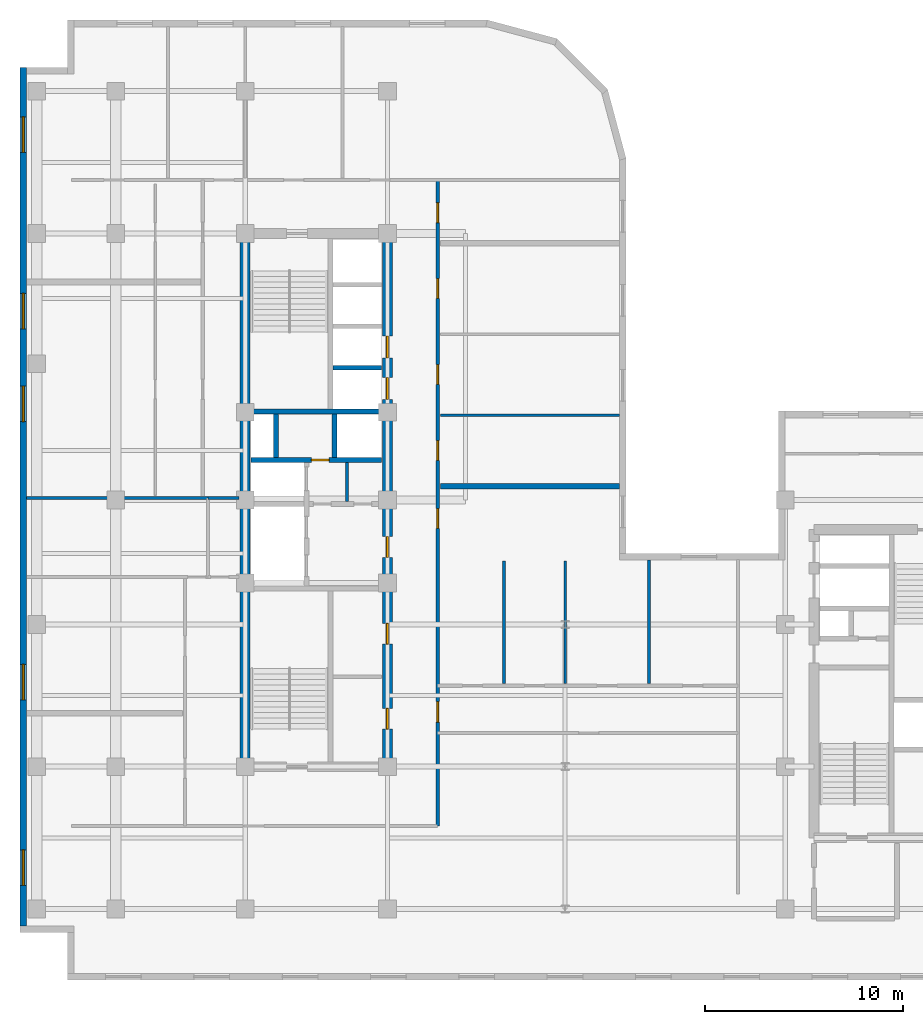
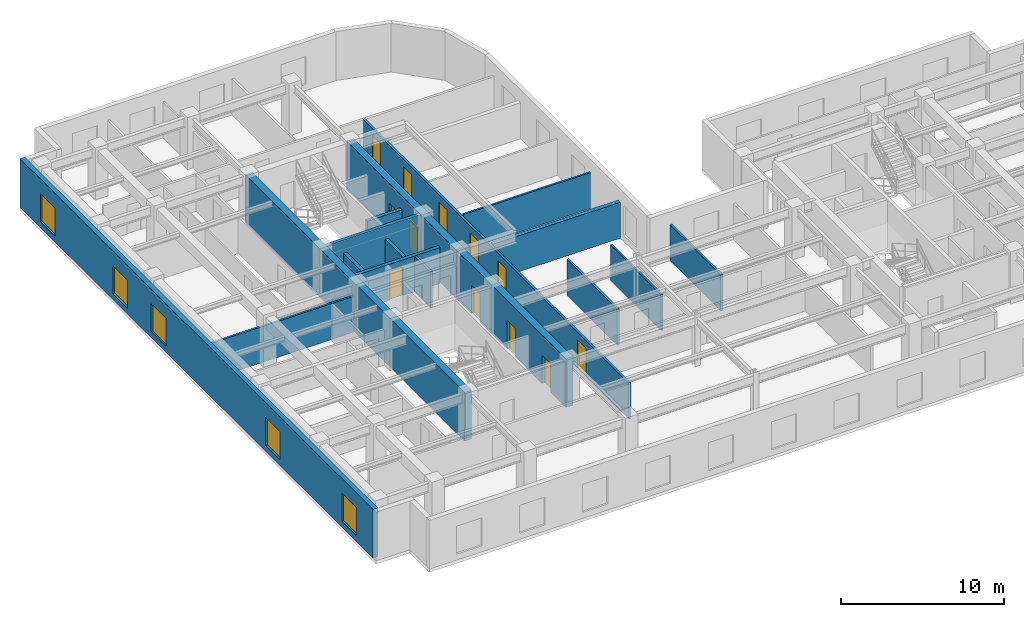
# One storey, part 5 of 11: 18 walls, 12 doors, 5 windows, 17 openings.
"""IFC4 building model written with IfcOpenShell, lengths in metres."""

from ifc_helpers import new_model, entity, si_unit, converted_unit, direction, frame, origin_with_axes, origin_2d_with_axis, place, context, subcontext, project, spatial, polyline, rectangle, outline, extrude, material, layer, layer_set, type_object, element, fill, save


model = new_model("IFC4")

# Units and contexts
model_context = context("Model", 3, precision=1e-05, world=origin_with_axes(), true_north=direction((0.0, 1.0)))
body_context = subcontext(model_context, "Body", "Model", "MODEL_VIEW")
ifc_project = project(units=[si_unit("LENGTHUNIT", "METRE"), si_unit("AREAUNIT", "SQUARE_METRE"), si_unit("VOLUMEUNIT", "CUBIC_METRE"), converted_unit("PLANEANGLEUNIT", "DEGREE", entity("IfcPlaneAngleMeasure", 0.017453292519943295), si_unit("PLANEANGLEUNIT", "RADIAN"), dimensions=[0, 0, 0, 0, 0, 0, 0]), si_unit("MASSUNIT", "GRAM", prefix="KILO"), si_unit("THERMODYNAMICTEMPERATUREUNIT", "KELVIN")], contexts=[model_context])

# Site, building, storey
site_placement = place(None, origin_with_axes())
site = spatial("IfcSite", under=ifc_project, at=site_placement, CompositionType="ELEMENT")
building_placement = place(site_placement, origin_with_axes())
building = spatial("IfcBuilding", under=site, at=building_placement, Name="Varnlund Millrace Tower", CompositionType="ELEMENT")
storey_placement = place(building_placement, frame((0.0, 0.0, 208.2), z_axis=(0.0, 0.0, 1.0), x_axis=(1.0, 0.0, 0.0)))
storey = spatial("IfcBuildingStorey", under=building, at=storey_placement, Name="L51", CompositionType="ELEMENT", Elevation=208.2)

# Wall
ifc_material_1 = material(Name="Concrete C70/85", Category="concrete")
ifc_layer_1 = layer(ifc_material_1, 0.5, Name="Concrete C70/85")
ifc_layer_set_1 = layer_set([ifc_layer_1], Name="Concrete C70/85")
wall_type_1 = type_object("IfcWallType", Name="Type-CoreWall-Shear-500-C70", PredefinedType="SHEAR", material=ifc_layer_set_1)
wall_1_placement = place(storey_placement, frame((11.4, 10.8, 0.0), z_axis=(0.0, 0.0, 1.0), x_axis=(0.0, 1.0, 0.0)))
element("IfcWall", 1, at=wall_1_placement, inside=storey, type_object=wall_type_1, Name="Type-CoreWall-Shear-500-C70", PredefinedType="SHEAR", context=body_context, shape_type="SweptSolid", body=[
    extrude(outline(polyline([(0.0, -0.25), (27.0, -0.25), (27.0, 0.25), (0.0, 0.25), (0.0, -0.25)])), origin_with_axes(), (0.0, 0.0, 1.0), 3.66),
])

# Wall, openings, doors
wall_2_placement = place(storey_placement, frame((18.6, 10.8, 0.0), z_axis=(0.0, 0.0, 1.0), x_axis=(0.0, 1.0, 0.0)))
wall_2 = element("IfcWall", 2, at=wall_2_placement, inside=storey, type_object=wall_type_1, Name="Type-CoreWall-Shear-500-C70", PredefinedType="SHEAR", context=body_context, shape_type="SweptSolid", body=[
    extrude(outline(polyline([(0.0, -0.25), (13.5, -0.25), (13.5, 0.25), (0.0, 0.25), (0.0, -0.25)])), origin_with_axes(), (0.0, 0.0, 1.0), 3.66),
])
opening_1_placement = place(wall_2_placement, frame((11.125, 0.0, 0.0), z_axis=(0.0, 0.0, 1.0), x_axis=(1.0, 0.0, 0.0)))
opening_1 = element("IfcOpeningElement", 3, at=opening_1_placement, cuts=wall_2, Name="Opening L51:DR-FFLOB-A", PredefinedType="OPENING", context=body_context, shape_type="SweptSolid", body=[
    extrude(rectangle(XDim=1.05, YDim=0.52, at=origin_2d_with_axis()), origin_with_axes(), (0.0, 0.0, 1.0), 2.15),
])
opening_2_placement = place(wall_2_placement, frame((2.425, 0.0, 0.0), z_axis=(0.0, 0.0, 1.0), x_axis=(1.0, 0.0, 0.0)))
opening_2 = element("IfcOpeningElement", 4, at=opening_2_placement, cuts=wall_2, Name="Opening L51:DR-RECL-A1-1", PredefinedType="OPENING", context=body_context, shape_type="SweptSolid", body=[
    extrude(rectangle(XDim=1.05, YDim=0.52, at=origin_2d_with_axis()), origin_with_axes(), (0.0, 0.0, 1.0), 2.15),
])
opening_3_placement = place(wall_2_placement, frame((6.725, 0.0, 0.0), z_axis=(0.0, 0.0, 1.0), x_axis=(1.0, 0.0, 0.0)))
opening_3 = element("IfcOpeningElement", 5, at=opening_3_placement, cuts=wall_2, Name="Opening L51:DR-RECL-A1-2", PredefinedType="OPENING", context=body_context, shape_type="SweptSolid", body=[
    extrude(rectangle(XDim=1.05, YDim=0.52, at=origin_2d_with_axis()), origin_with_axes(), (0.0, 0.0, 1.0), 2.15),
])
ifc_material_2 = material(Name="Smoke-barrier hollow steel fire door", Category="steel")
door_type_1 = type_object("IfcDoorType", Name="Type-FireDoor-Lobby-1050X2150", OperationType="NOTDEFINED", PredefinedType="DOOR", material=ifc_material_2)
door_1_placement = place(wall_2_placement, frame((11.125, 0.0, 0.0), z_axis=(0.0, 0.0, 1.0), x_axis=(1.0, 0.0, 0.0)))
door_1 = element("IfcDoor", 6, at=door_1_placement, inside=storey, type_object=door_type_1, Name="Type-FireDoor-Lobby-1050X2150", OperationType="SINGLE_SWING_LEFT", OverallHeight=2.15, OverallWidth=1.05, PredefinedType="DOOR", context=body_context, shape_type="SweptSolid", body=[
    extrude(rectangle(XDim=1.05, YDim=0.09, at=origin_2d_with_axis()), origin_with_axes(), (0.0, 0.0, 1.0), 2.15),
])
fill(opening_1, door_1)
door_2_placement = place(wall_2_placement, frame((2.425, 0.0, 0.0), z_axis=(0.0, 0.0, 1.0), x_axis=(1.0, 0.0, 0.0)))
door_2 = element("IfcDoor", 7, at=door_2_placement, inside=storey, type_object=door_type_1, Name="Type-FireDoor-Lobby-1050X2150", OperationType="SINGLE_SWING_LEFT", OverallHeight=2.15, OverallWidth=1.05, PredefinedType="DOOR", context=body_context, shape_type="SweptSolid", body=[
    extrude(rectangle(XDim=1.05, YDim=0.09, at=origin_2d_with_axis()), origin_with_axes(), (0.0, 0.0, 1.0), 2.15),
])
fill(opening_2, door_2)
door_3_placement = place(wall_2_placement, frame((6.725, 0.0, 0.0), z_axis=(0.0, 0.0, 1.0), x_axis=(1.0, 0.0, 0.0)))
door_3 = element("IfcDoor", 8, at=door_3_placement, inside=storey, type_object=door_type_1, Name="Type-FireDoor-Lobby-1050X2150", OperationType="SINGLE_SWING_RIGHT", OverallHeight=2.15, OverallWidth=1.05, PredefinedType="DOOR", context=body_context, shape_type="SweptSolid", body=[
    extrude(rectangle(XDim=1.05, YDim=0.09, at=origin_2d_with_axis()), origin_with_axes(), (0.0, 0.0, 1.0), 2.15),
])
fill(opening_3, door_3)

wall_3_placement = place(storey_placement, frame((18.6, 24.3, 0.0), z_axis=(0.0, 0.0, 1.0), x_axis=(0.0, 1.0, 0.0)))
wall_3 = element("IfcWall", 9, at=wall_3_placement, inside=storey, type_object=wall_type_1, Name="Type-CoreWall-Shear-500-C70", PredefinedType="SHEAR", context=body_context, shape_type="SweptSolid", body=[
    extrude(outline(polyline([(0.0, -0.25), (13.5, -0.25), (13.5, 0.25), (0.0, 0.25), (0.0, -0.25)])), origin_with_axes(), (0.0, 0.0, 1.0), 3.66),
])
opening_4_placement = place(wall_3_placement, frame((5.65, 0.0, 0.0), z_axis=(0.0, 0.0, 1.0), x_axis=(1.0, 0.0, 0.0)))
opening_4 = element("IfcOpeningElement", 10, at=opening_4_placement, cuts=wall_3, Name="Opening L51:LD-ELV-M1", PredefinedType="OPENING", context=body_context, shape_type="SweptSolid", body=[
    extrude(rectangle(XDim=1.1, YDim=0.52, at=origin_2d_with_axis()), origin_with_axes(), (0.0, 0.0, 1.0), 2.15),
])
opening_5_placement = place(wall_3_placement, frame((7.75, 0.0, 0.0), z_axis=(0.0, 0.0, 1.0), x_axis=(1.0, 0.0, 0.0)))
opening_5 = element("IfcOpeningElement", 11, at=opening_5_placement, cuts=wall_3, Name="Opening L51:LD-ELV-M2", PredefinedType="OPENING", context=body_context, shape_type="SweptSolid", body=[
    extrude(rectangle(XDim=1.1, YDim=0.52, at=origin_2d_with_axis()), origin_with_axes(), (0.0, 0.0, 1.0), 2.15),
])
ifc_material_3 = material(Name="Stainless and architectural bronze sliding landing door")
door_type_2 = type_object("IfcDoorType", Name="Type-LiftLandingDoor-1100X2150", OperationType="NOTDEFINED", PredefinedType="DOOR", material=ifc_material_3)
door_4_placement = place(wall_3_placement, frame((5.65, 0.0, 0.0), z_axis=(0.0, 0.0, 1.0), x_axis=(1.0, 0.0, 0.0)))
door_4 = element("IfcDoor", 12, at=door_4_placement, inside=storey, type_object=door_type_2, Name="Type-LiftLandingDoor-1100X2150", OperationType="SLIDING_TO_LEFT", OverallHeight=2.15, OverallWidth=1.1, PredefinedType="DOOR", context=body_context, shape_type="SweptSolid", body=[
    extrude(rectangle(XDim=1.1, YDim=0.09, at=origin_2d_with_axis()), origin_with_axes(), (0.0, 0.0, 1.0), 2.15),
])
fill(opening_4, door_4)
door_5_placement = place(wall_3_placement, frame((7.75, 0.0, 0.0), z_axis=(0.0, 0.0, 1.0), x_axis=(1.0, 0.0, 0.0)))
door_5 = element("IfcDoor", 13, at=door_5_placement, inside=storey, type_object=door_type_2, Name="Type-LiftLandingDoor-1100X2150", OperationType="SLIDING_TO_RIGHT", OverallHeight=2.15, OverallWidth=1.1, PredefinedType="DOOR", context=body_context, shape_type="SweptSolid", body=[
    extrude(rectangle(XDim=1.1, YDim=0.09, at=origin_2d_with_axis()), origin_with_axes(), (0.0, 0.0, 1.0), 2.15),
])
fill(opening_5, door_5)

# Wall, openings, windows
ifc_material_4 = material(Name="Precast concrete C50/60", Category="concrete")
ifc_layer_2 = layer(ifc_material_4, 0.34, Name="Precast concrete C50/60")
ifc_layer_set_2 = layer_set([ifc_layer_2], Name="Precast concrete C50/60")
wall_type_2 = type_object("IfcWallType", Name="Type-ExtWall-Precast-Upper-340", PredefinedType="SOLIDWALL", material=ifc_layer_set_2)
wall_4_placement = place(storey_placement, frame((0.17, 2.74, 0.0), z_axis=(0.0, 0.0, 1.0), x_axis=(0.0, 1.0, 0.0)))
wall_4 = element("IfcWall", 14, at=wall_4_placement, inside=storey, type_object=wall_type_2, Name="Type-ExtWall-Precast-Upper-340", PredefinedType="SOLIDWALL", context=body_context, shape_type="SweptSolid", body=[
    extrude(outline(polyline([(0.0, -0.17), (43.46, -0.17), (43.46, 0.17), (0.0, 0.17), (0.0, -0.17)])), origin_with_axes(), (0.0, 0.0, 1.0), 3.66),
])
opening_6_placement = place(wall_4_placement, frame((2.948, 0.0, 0.45), z_axis=(0.0, 0.0, 1.0), x_axis=(1.0, 0.0, 0.0)))
opening_6 = element("IfcOpeningElement", 15, at=opening_6_placement, cuts=wall_4, Name="Opening L51:WN-20", PredefinedType="OPENING", context=body_context, shape_type="SweptSolid", body=[
    extrude(rectangle(XDim=1.8, YDim=0.36, at=origin_2d_with_axis()), origin_with_axes(), (0.0, 0.0, 1.0), 2.1),
])
opening_7_placement = place(wall_4_placement, frame((12.339, 0.0, 0.45), z_axis=(0.0, 0.0, 1.0), x_axis=(1.0, 0.0, 0.0)))
opening_7 = element("IfcOpeningElement", 16, at=opening_7_placement, cuts=wall_4, Name="Opening L51:WN-21", PredefinedType="OPENING", context=body_context, shape_type="SweptSolid", body=[
    extrude(rectangle(XDim=1.8, YDim=0.36, at=origin_2d_with_axis()), origin_with_axes(), (0.0, 0.0, 1.0), 2.1),
])
opening_8_placement = place(wall_4_placement, frame((26.426, 0.0, 0.45), z_axis=(0.0, 0.0, 1.0), x_axis=(1.0, 0.0, 0.0)))
opening_8 = element("IfcOpeningElement", 17, at=opening_8_placement, cuts=wall_4, Name="Opening L51:WN-22", PredefinedType="OPENING", context=body_context, shape_type="SweptSolid", body=[
    extrude(rectangle(XDim=1.8, YDim=0.36, at=origin_2d_with_axis()), origin_with_axes(), (0.0, 0.0, 1.0), 2.1),
])
opening_9_placement = place(wall_4_placement, frame((31.121, 0.0, 0.45), z_axis=(0.0, 0.0, 1.0), x_axis=(1.0, 0.0, 0.0)))
opening_9 = element("IfcOpeningElement", 18, at=opening_9_placement, cuts=wall_4, Name="Opening L51:WN-23", PredefinedType="OPENING", context=body_context, shape_type="SweptSolid", body=[
    extrude(rectangle(XDim=1.8, YDim=0.36, at=origin_2d_with_axis()), origin_with_axes(), (0.0, 0.0, 1.0), 2.1),
])
opening_10_placement = place(wall_4_placement, frame((40.062, 0.0, 0.45), z_axis=(0.0, 0.0, 1.0), x_axis=(1.0, 0.0, 0.0)))
opening_10 = element("IfcOpeningElement", 19, at=opening_10_placement, cuts=wall_4, Name="Opening L51:WN-24", PredefinedType="OPENING", context=body_context, shape_type="SweptSolid", body=[
    extrude(rectangle(XDim=1.8, YDim=0.36, at=origin_2d_with_axis()), origin_with_axes(), (0.0, 0.0, 1.0), 2.1),
])
ifc_material_5 = material(Name="Argon low-e triple glazing in thermally broken bronze frame", Category="glass")
window_type = type_object("IfcWindowType", Name="Type-Window-Punched-1800X2100", PartitioningType="SINGLE_PANEL", PredefinedType="WINDOW", material=ifc_material_5)
window_1_placement = place(wall_4_placement, frame((2.948, 0.0, 0.45), z_axis=(0.0, 0.0, 1.0), x_axis=(1.0, 0.0, 0.0)))
window_1 = element("IfcWindow", 20, at=window_1_placement, inside=storey, type_object=window_type, Name="Type-Window-Punched-1800X2100", OverallHeight=2.1, OverallWidth=1.8, PredefinedType="WINDOW", context=body_context, shape_type="SweptSolid", body=[
    extrude(rectangle(XDim=1.8, YDim=0.09, at=origin_2d_with_axis()), origin_with_axes(), (0.0, 0.0, 1.0), 2.1),
])
fill(opening_6, window_1)
window_2_placement = place(wall_4_placement, frame((12.339, 0.0, 0.45), z_axis=(0.0, 0.0, 1.0), x_axis=(1.0, 0.0, 0.0)))
window_2 = element("IfcWindow", 21, at=window_2_placement, inside=storey, type_object=window_type, Name="Type-Window-Punched-1800X2100", OverallHeight=2.1, OverallWidth=1.8, PredefinedType="WINDOW", context=body_context, shape_type="SweptSolid", body=[
    extrude(rectangle(XDim=1.8, YDim=0.09, at=origin_2d_with_axis()), origin_with_axes(), (0.0, 0.0, 1.0), 2.1),
])
fill(opening_7, window_2)
window_3_placement = place(wall_4_placement, frame((26.426, 0.0, 0.45), z_axis=(0.0, 0.0, 1.0), x_axis=(1.0, 0.0, 0.0)))
window_3 = element("IfcWindow", 22, at=window_3_placement, inside=storey, type_object=window_type, Name="Type-Window-Punched-1800X2100", OverallHeight=2.1, OverallWidth=1.8, PredefinedType="WINDOW", context=body_context, shape_type="SweptSolid", body=[
    extrude(rectangle(XDim=1.8, YDim=0.09, at=origin_2d_with_axis()), origin_with_axes(), (0.0, 0.0, 1.0), 2.1),
])
fill(opening_8, window_3)
window_4_placement = place(wall_4_placement, frame((31.121, 0.0, 0.45), z_axis=(0.0, 0.0, 1.0), x_axis=(1.0, 0.0, 0.0)))
window_4 = element("IfcWindow", 23, at=window_4_placement, inside=storey, type_object=window_type, Name="Type-Window-Punched-1800X2100", OverallHeight=2.1, OverallWidth=1.8, PredefinedType="WINDOW", context=body_context, shape_type="SweptSolid", body=[
    extrude(rectangle(XDim=1.8, YDim=0.09, at=origin_2d_with_axis()), origin_with_axes(), (0.0, 0.0, 1.0), 2.1),
])
fill(opening_9, window_4)
window_5_placement = place(wall_4_placement, frame((40.062, 0.0, 0.45), z_axis=(0.0, 0.0, 1.0), x_axis=(1.0, 0.0, 0.0)))
window_5 = element("IfcWindow", 24, at=window_5_placement, inside=storey, type_object=window_type, Name="Type-Window-Punched-1800X2100", OverallHeight=2.1, OverallWidth=1.8, PredefinedType="WINDOW", context=body_context, shape_type="SweptSolid", body=[
    extrude(rectangle(XDim=1.8, YDim=0.09, at=origin_2d_with_axis()), origin_with_axes(), (0.0, 0.0, 1.0), 2.1),
])
fill(opening_10, window_5)

# Walls
ifc_material_6 = material(Name="Double-stud STC-60 conference acoustic partition", Category="gypsum")
ifc_layer_3 = layer(ifc_material_6, 0.28, Name="Double-stud STC-60 conference acoustic partition")
ifc_layer_set_3 = layer_set([ifc_layer_3], Name="Double-stud STC-60 conference acoustic partition")
wall_type_3 = type_object("IfcWallType", Name="Type-Partition-Acoustic-280", PredefinedType="PARTITIONING", material=ifc_layer_set_3)
wall_5_placement = place(storey_placement, frame((21.3, 25.003, 0.0), z_axis=(0.0, 0.0, 1.0), x_axis=(1.0, 0.0, 0.0)))
element("IfcWall", 25, at=wall_5_placement, inside=storey, type_object=wall_type_3, Name="Type-Partition-Acoustic-280", PredefinedType="PARTITIONING", context=body_context, shape_type="SweptSolid", body=[
    extrude(outline(polyline([(0.0, -0.14), (9.051, -0.14), (9.051, 0.14), (0.0, 0.14), (0.0, -0.14)])), origin_with_axes(), (0.0, 0.0, 1.0), 2.7),
])
ifc_material_7 = material(Name="Fire-rated gypsum board on cold-formed steel framing", Category="steel")
ifc_layer_4 = layer(ifc_material_7, 0.16, Name="Fire-rated gypsum board on cold-formed steel framing")
ifc_layer_set_4 = layer_set([ifc_layer_4], Name="Fire-rated gypsum board on cold-formed steel framing")
wall_type_4 = type_object("IfcWallType", Name="Type-Partition-Corridor-160", PredefinedType="PARTITIONING", material=ifc_layer_set_4)
wall_6_placement = place(storey_placement, frame((16.55, 24.22, 0.0), z_axis=(0.0, 0.0, 1.0), x_axis=(0.0, 1.0, 0.0)))
element("IfcWall", 26, at=wall_6_placement, inside=storey, type_object=wall_type_4, Name="Type-Partition-Corridor-160", PredefinedType="PARTITIONING", context=body_context, shape_type="SweptSolid", body=[
    extrude(outline(polyline([(0.0, -0.08), (1.98, -0.08), (1.98, 0.08), (0.0, 0.08), (0.0, -0.08)])), origin_with_axes(), (0.0, 0.0, 1.0), 2.7),
])

# Wall, openings, doors
wall_7_placement = place(storey_placement, frame((21.15, 7.8, 0.0), z_axis=(0.0, 0.0, 1.0), x_axis=(0.0, 1.0, 0.0)))
wall_7 = element("IfcWall", 27, at=wall_7_placement, inside=storey, type_object=wall_type_4, Name="Type-Partition-Corridor-160", PredefinedType="PARTITIONING", context=body_context, shape_type="SweptSolid", body=[
    extrude(outline(polyline([(0.0, -0.08), (32.7, -0.08), (32.7, 0.08), (0.0, 0.08), (0.0, -0.08)])), origin_with_axes(), (0.0, 0.0, 1.0), 2.7),
])
opening_11_placement = place(wall_7_placement, frame((15.5665, 0.0, 0.0), z_axis=(0.0, 0.0, 1.0), x_axis=(1.0, 0.0, 0.0)))
opening_11 = element("IfcOpeningElement", 28, at=opening_11_placement, cuts=wall_7, Name="Opening L51:DR-FLR-01", PredefinedType="OPENING", context=body_context, shape_type="SweptSolid", body=[
    extrude(rectangle(XDim=1.0, YDim=0.18, at=origin_2d_with_axis()), origin_with_axes(), (0.0, 0.0, 1.0), 2.15),
])
opening_12_placement = place(wall_7_placement, frame((19.003, 0.0, 0.0), z_axis=(0.0, 0.0, 1.0), x_axis=(1.0, 0.0, 0.0)))
opening_12 = element("IfcOpeningElement", 29, at=opening_12_placement, cuts=wall_7, Name="Opening L51:DR-FLR-02", PredefinedType="OPENING", context=body_context, shape_type="SweptSolid", body=[
    extrude(rectangle(XDim=1.0, YDim=0.18, at=origin_2d_with_axis()), origin_with_axes(), (0.0, 0.0, 1.0), 2.15),
])
opening_13_placement = place(wall_7_placement, frame((22.854, 0.0, 0.0), z_axis=(0.0, 0.0, 1.0), x_axis=(1.0, 0.0, 0.0)))
opening_13 = element("IfcOpeningElement", 30, at=opening_13_placement, cuts=wall_7, Name="Opening L51:DR-FLR-03", PredefinedType="OPENING", context=body_context, shape_type="SweptSolid", body=[
    extrude(rectangle(XDim=1.0, YDim=0.18, at=origin_2d_with_axis()), origin_with_axes(), (0.0, 0.0, 1.0), 2.15),
])
opening_14_placement = place(wall_7_placement, frame((27.208, 0.0, 0.0), z_axis=(0.0, 0.0, 1.0), x_axis=(1.0, 0.0, 0.0)))
opening_14 = element("IfcOpeningElement", 31, at=opening_14_placement, cuts=wall_7, Name="Opening L51:DR-FLR-04", PredefinedType="OPENING", context=body_context, shape_type="SweptSolid", body=[
    extrude(rectangle(XDim=1.0, YDim=0.18, at=origin_2d_with_axis()), origin_with_axes(), (0.0, 0.0, 1.0), 2.15),
])
opening_15_placement = place(wall_7_placement, frame((31.0405, 0.0, 0.0), z_axis=(0.0, 0.0, 1.0), x_axis=(1.0, 0.0, 0.0)))
opening_15 = element("IfcOpeningElement", 32, at=opening_15_placement, cuts=wall_7, Name="Opening L51:DR-FLR-05", PredefinedType="OPENING", context=body_context, shape_type="SweptSolid", body=[
    extrude(rectangle(XDim=1.0, YDim=0.18, at=origin_2d_with_axis()), origin_with_axes(), (0.0, 0.0, 1.0), 2.15),
])
opening_16_placement = place(wall_7_placement, frame((5.775, 0.0, 0.0), z_axis=(0.0, 0.0, 1.0), x_axis=(1.0, 0.0, 0.0)))
opening_16 = element("IfcOpeningElement", 33, at=opening_16_placement, cuts=wall_7, Name="Opening L51:DR-KN-W", PredefinedType="OPENING", context=body_context, shape_type="SweptSolid", body=[
    extrude(rectangle(XDim=1.05, YDim=0.18, at=origin_2d_with_axis()), origin_with_axes(), (0.0, 0.0, 1.0), 2.15),
])
door_6_placement = place(wall_7_placement, frame((5.775, 0.0, 0.0), z_axis=(0.0, 0.0, 1.0), x_axis=(1.0, 0.0, 0.0)))
door_6 = element("IfcDoor", 34, at=door_6_placement, inside=storey, type_object=door_type_1, Name="Type-FireDoor-Lobby-1050X2150", OperationType="SINGLE_SWING_LEFT", OverallHeight=2.15, OverallWidth=1.05, PredefinedType="DOOR", context=body_context, shape_type="SweptSolid", body=[
    extrude(rectangle(XDim=1.05, YDim=0.09, at=origin_2d_with_axis()), origin_with_axes(), (0.0, 0.0, 1.0), 2.15),
])
fill(opening_16, door_6)
ifc_material_8 = material(Name="Solid-core white oak and bronze frame door")
door_type_3 = type_object("IfcDoorType", Name="Type-IntDoor-Office-1000X2150", OperationType="NOTDEFINED", PredefinedType="DOOR", material=ifc_material_8)
door_7_placement = place(wall_7_placement, frame((15.5665, 0.0, 0.0), z_axis=(0.0, 0.0, 1.0), x_axis=(1.0, 0.0, 0.0)))
door_7 = element("IfcDoor", 35, at=door_7_placement, inside=storey, type_object=door_type_3, Name="Type-IntDoor-Office-1000X2150", OperationType="SINGLE_SWING_LEFT", OverallHeight=2.15, OverallWidth=1.0, PredefinedType="DOOR", context=body_context, shape_type="SweptSolid", body=[
    extrude(rectangle(XDim=1.0, YDim=0.09, at=origin_2d_with_axis()), origin_with_axes(), (0.0, 0.0, 1.0), 2.15),
])
fill(opening_11, door_7)
door_8_placement = place(wall_7_placement, frame((19.003, 0.0, 0.0), z_axis=(0.0, 0.0, 1.0), x_axis=(1.0, 0.0, 0.0)))
door_8 = element("IfcDoor", 36, at=door_8_placement, inside=storey, type_object=door_type_3, Name="Type-IntDoor-Office-1000X2150", OperationType="SINGLE_SWING_RIGHT", OverallHeight=2.15, OverallWidth=1.0, PredefinedType="DOOR", context=body_context, shape_type="SweptSolid", body=[
    extrude(rectangle(XDim=1.0, YDim=0.09, at=origin_2d_with_axis()), origin_with_axes(), (0.0, 0.0, 1.0), 2.15),
])
fill(opening_12, door_8)
door_9_placement = place(wall_7_placement, frame((22.854, 0.0, 0.0), z_axis=(0.0, 0.0, 1.0), x_axis=(1.0, 0.0, 0.0)))
door_9 = element("IfcDoor", 37, at=door_9_placement, inside=storey, type_object=door_type_3, Name="Type-IntDoor-Office-1000X2150", OperationType="SINGLE_SWING_LEFT", OverallHeight=2.15, OverallWidth=1.0, PredefinedType="DOOR", context=body_context, shape_type="SweptSolid", body=[
    extrude(rectangle(XDim=1.0, YDim=0.09, at=origin_2d_with_axis()), origin_with_axes(), (0.0, 0.0, 1.0), 2.15),
])
fill(opening_13, door_9)
door_10_placement = place(wall_7_placement, frame((27.208, 0.0, 0.0), z_axis=(0.0, 0.0, 1.0), x_axis=(1.0, 0.0, 0.0)))
door_10 = element("IfcDoor", 38, at=door_10_placement, inside=storey, type_object=door_type_3, Name="Type-IntDoor-Office-1000X2150", OperationType="SINGLE_SWING_RIGHT", OverallHeight=2.15, OverallWidth=1.0, PredefinedType="DOOR", context=body_context, shape_type="SweptSolid", body=[
    extrude(rectangle(XDim=1.0, YDim=0.09, at=origin_2d_with_axis()), origin_with_axes(), (0.0, 0.0, 1.0), 2.15),
])
fill(opening_14, door_10)
door_11_placement = place(wall_7_placement, frame((31.0405, 0.0, 0.0), z_axis=(0.0, 0.0, 1.0), x_axis=(1.0, 0.0, 0.0)))
door_11 = element("IfcDoor", 39, at=door_11_placement, inside=storey, type_object=door_type_3, Name="Type-IntDoor-Office-1000X2150", OperationType="SINGLE_SWING_LEFT", OverallHeight=2.15, OverallWidth=1.0, PredefinedType="DOOR", context=body_context, shape_type="SweptSolid", body=[
    extrude(rectangle(XDim=1.0, YDim=0.09, at=origin_2d_with_axis()), origin_with_axes(), (0.0, 0.0, 1.0), 2.15),
])
fill(opening_15, door_11)

# Walls
ifc_material_9 = material(Name="Acoustic STC-50 gypsum board partition", Category="gypsum")
ifc_layer_5 = layer(ifc_material_9, 0.15, Name="Acoustic STC-50 gypsum board partition")
ifc_layer_set_5 = layer_set([ifc_layer_5], Name="Acoustic STC-50 gypsum board partition")
wall_type_5 = type_object("IfcWallType", Name="Type-Partition-Demising-150", PredefinedType="PARTITIONING", material=ifc_layer_set_5)
wall_8_placement = place(storey_placement, frame((24.499, 15.02, 0.0), z_axis=(0.0, 0.0, 1.0), x_axis=(0.0, 1.0, 0.0)))
element("IfcWall", 40, at=wall_8_placement, inside=storey, type_object=wall_type_5, Name="Type-Partition-Demising-150", PredefinedType="PARTITIONING", context=body_context, shape_type="SweptSolid", body=[
    extrude(outline(polyline([(0.0, -0.075), (6.2, -0.075), (6.2, 0.075), (0.0, 0.075), (0.0, -0.075)])), origin_with_axes(), (0.0, 0.0, 1.0), 2.7),
])
wall_9_placement = place(storey_placement, frame((31.852, 15.02, 0.0), z_axis=(0.0, 0.0, 1.0), x_axis=(0.0, 1.0, 0.0)))
element("IfcWall", 41, at=wall_9_placement, inside=storey, type_object=wall_type_5, Name="Type-Partition-Demising-150", PredefinedType="PARTITIONING", context=body_context, shape_type="SweptSolid", body=[
    extrude(outline(polyline([(0.0, -0.075), (6.245, -0.075), (6.245, 0.075), (0.0, 0.075), (0.0, -0.075)])), origin_with_axes(), (0.0, 0.0, 1.0), 2.7),
])
ifc_material_10 = material(Name="Gypsum board tenant partition", Category="gypsum")
ifc_layer_6 = layer(ifc_material_10, 0.125, Name="Gypsum board tenant partition")
ifc_layer_set_6 = layer_set([ifc_layer_6], Name="Gypsum board tenant partition")
wall_type_6 = type_object("IfcWallType", Name="Type-Partition-Tenant-125", PredefinedType="PARTITIONING", material=ifc_layer_set_6)
wall_10_placement = place(storey_placement, frame((21.3, 28.603, 0.0), z_axis=(0.0, 0.0, 1.0), x_axis=(1.0, 0.0, 0.0)))
element("IfcWall", 42, at=wall_10_placement, inside=storey, type_object=wall_type_6, Name="Type-Partition-Tenant-125", PredefinedType="PARTITIONING", context=body_context, shape_type="SweptSolid", body=[
    extrude(outline(polyline([(0.0, -0.0625), (9.051, -0.0625), (9.051, 0.0625), (0.0, 0.0625), (0.0, -0.0625)])), origin_with_axes(), (0.0, 0.0, 1.0), 2.7),
])
wall_11_placement = place(storey_placement, frame((27.6, 15.02, 0.0), z_axis=(0.0, 0.0, 1.0), x_axis=(0.0, 1.0, 0.0)))
element("IfcWall", 43, at=wall_11_placement, inside=storey, type_object=wall_type_6, Name="Type-Partition-Tenant-125", PredefinedType="PARTITIONING", context=body_context, shape_type="SweptSolid", body=[
    extrude(outline(polyline([(0.0, -0.0625), (6.2, -0.0625), (6.2, 0.0625), (0.0, 0.0625), (0.0, -0.0625)])), origin_with_axes(), (0.0, 0.0, 1.0), 2.7),
])
ifc_material_11 = material(Name="Moisture-resistant gypsum restroom partition", Category="gypsum")
ifc_layer_7 = layer(ifc_material_11, 0.14, Name="Moisture-resistant gypsum restroom partition")
ifc_layer_set_7 = layer_set([ifc_layer_7], Name="Moisture-resistant gypsum restroom partition")
wall_type_7 = type_object("IfcWallType", Name="Type-Partition-Wet-140", PredefinedType="PARTITIONING", material=ifc_layer_set_7)
wall_12_placement = place(storey_placement, frame((9.52, 24.4, 0.0), z_axis=(0.0, 0.0, 1.0), x_axis=(1.0, 0.0, 0.0)))
element("IfcWall", 44, at=wall_12_placement, inside=storey, type_object=wall_type_7, Name="Type-Partition-Wet-140", PredefinedType="PARTITIONING", context=body_context, shape_type="SweptSolid", body=[
    extrude(outline(polyline([(0.0, -0.07), (1.58, -0.07), (1.58, 0.07), (0.0, 0.07), (0.0, -0.07)])), origin_with_axes(), (0.0, 0.0, 1.0), 2.7),
])
wall_13_placement = place(storey_placement, frame((0.335, 24.4, 0.0), z_axis=(0.0, 0.0, 1.0), x_axis=(1.0, 0.0, 0.0)))
element("IfcWall", 45, at=wall_13_placement, inside=storey, type_object=wall_type_7, Name="Type-Partition-Wet-140", PredefinedType="PARTITIONING", context=body_context, shape_type="SweptSolid", body=[
    extrude(outline(polyline([(0.0, -0.07), (9.185, -0.07), (9.185, 0.07), (0.0, 0.07), (0.0, -0.07)])), origin_with_axes(), (0.0, 0.0, 1.0), 2.7),
])

# Wall, opening, door
ifc_material_12 = material(Name="Concrete C60/75", Category="concrete")
ifc_layer_8 = layer(ifc_material_12, 0.25, Name="Concrete C60/75")
ifc_layer_set_8 = layer_set([ifc_layer_8], Name="Concrete C60/75")
wall_type_8 = type_object("IfcWallType", Name="Type-ShaftWall-Fire-250", PredefinedType="SOLIDWALL", material=ifc_layer_set_8)
wall_14_placement = place(storey_placement, frame((11.7, 26.325, 0.0), z_axis=(0.0, 0.0, 1.0), x_axis=(1.0, 0.0, 0.0)))
wall_14 = element("IfcWall", 46, at=wall_14_placement, inside=storey, type_object=wall_type_8, Name="Type-ShaftWall-Fire-250", PredefinedType="SOLIDWALL", context=body_context, shape_type="SweptSolid", body=[
    extrude(outline(polyline([(0.0, -0.125), (6.6, -0.125), (6.6, 0.125), (0.0, 0.125), (0.0, -0.125)])), origin_with_axes(), (0.0, 0.0, 1.0), 2.7),
])
opening_17_placement = place(wall_14_placement, frame((3.5, 0.0, 0.0), z_axis=(0.0, 0.0, 1.0), x_axis=(1.0, 0.0, 0.0)))
opening_17 = element("IfcOpeningElement", 47, at=opening_17_placement, cuts=wall_14, Name="Opening L51:DR-CA-ELC", PredefinedType="OPENING", context=body_context, shape_type="SweptSolid", body=[
    extrude(rectangle(XDim=0.9, YDim=0.27, at=origin_2d_with_axis()), origin_with_axes(), (0.0, 0.0, 1.0), 2.15),
])
ifc_material_13 = material(Name="Fire-rated hollow steel service closet door", Category="steel")
door_type_4 = type_object("IfcDoorType", Name="Type-FireDoor-Closet-900X2150", OperationType="NOTDEFINED", PredefinedType="DOOR", material=ifc_material_13)
door_12_placement = place(wall_14_placement, frame((3.5, 0.0, 0.0), z_axis=(0.0, 0.0, 1.0), x_axis=(1.0, 0.0, 0.0)))
door_12 = element("IfcDoor", 48, at=door_12_placement, inside=storey, type_object=door_type_4, Name="Type-FireDoor-Closet-900X2150", OperationType="SINGLE_SWING_LEFT", OverallHeight=2.15, OverallWidth=0.9, PredefinedType="DOOR", context=body_context, shape_type="SweptSolid", body=[
    extrude(rectangle(XDim=0.9, YDim=0.09, at=origin_2d_with_axis()), origin_with_axes(), (0.0, 0.0, 1.0), 2.15),
])
fill(opening_17, door_12)

# Walls
for number, where, z_axis, x_axis, name in (
    (49, (12.96, 26.45, 0.0), (0.0, 0.0, 1.0), (0.0, 1.0, 0.0), "Type-ShaftWall-Fire-250"),
    (50, (15.925, 26.45, 0.0), (0.0, 0.0, 1.0), (0.0, 1.0, 0.0), "Type-ShaftWall-Fire-250"),
):
    element("IfcWall", number, at=place(storey_placement, frame(where, z_axis=z_axis, x_axis=x_axis)), inside=storey, type_object=wall_type_8, Name=name, PredefinedType="SOLIDWALL", context=body_context, shape_type="SweptSolid", body=[
        extrude(outline(polyline([(0.0, -0.125), (2.2, -0.125), (2.2, 0.125), (0.0, 0.125), (0.0, -0.125)])), origin_with_axes(), (0.0, 0.0, 1.0), 2.7),
    ])
wall_15_placement = place(storey_placement, frame((15.84, 31.0, 0.0), z_axis=(0.0, 0.0, 1.0), x_axis=(1.0, 0.0, 0.0)))
element("IfcWall", 51, at=wall_15_placement, inside=storey, type_object=wall_type_8, Name="Type-ShaftWall-Fire-250", PredefinedType="SOLIDWALL", context=body_context, shape_type="SweptSolid", body=[
    extrude(outline(polyline([(0.0, -0.125), (2.46, -0.125), (2.46, 0.125), (0.0, 0.125), (0.0, -0.125)])), origin_with_axes(), (0.0, 0.0, 1.0), 2.7),
])
wall_type_9 = type_object("IfcWallType", Name="Type-StairWall-Shear-250", PredefinedType="SHEAR", material=ifc_layer_set_8)
wall_16_placement = place(storey_placement, frame((11.65, 28.775, 0.0), z_axis=(0.0, 0.0, 1.0), x_axis=(1.0, 0.0, 0.0)))
element("IfcWall", 52, at=wall_16_placement, inside=storey, type_object=wall_type_9, Name="Type-StairWall-Shear-250", PredefinedType="SHEAR", context=body_context, shape_type="SweptSolid", body=[
    extrude(outline(polyline([(0.0, -0.125), (6.7, -0.125), (6.7, 0.125), (0.0, 0.125), (0.0, -0.125)])), origin_with_axes(), (0.0, 0.0, 1.0), 3.66),
])

save(model, "model.ifc")
